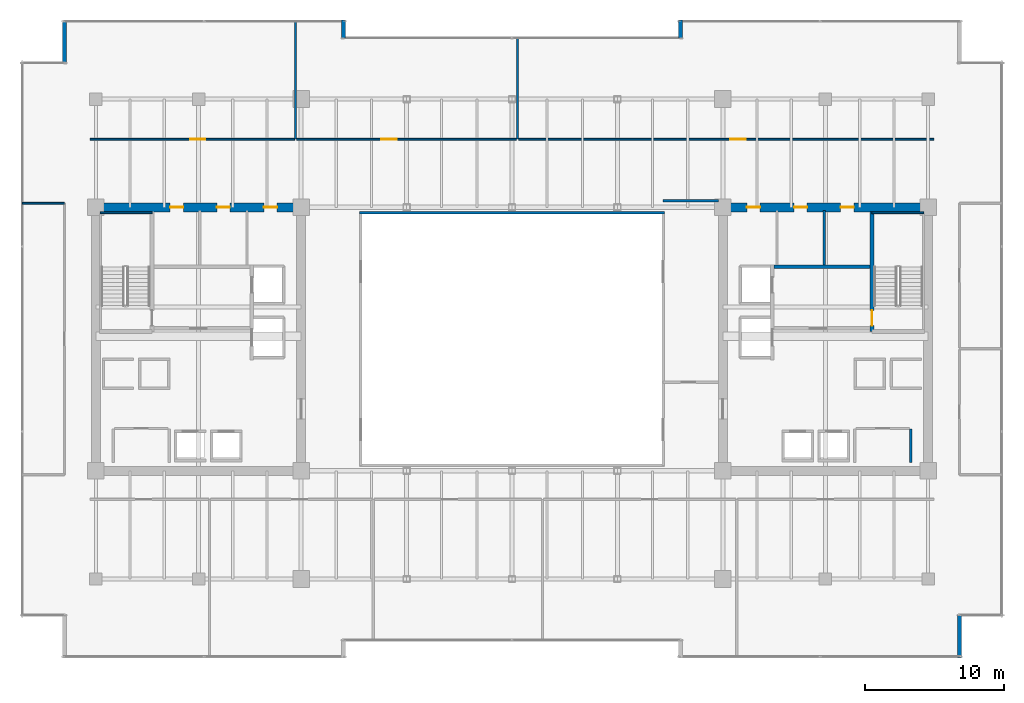
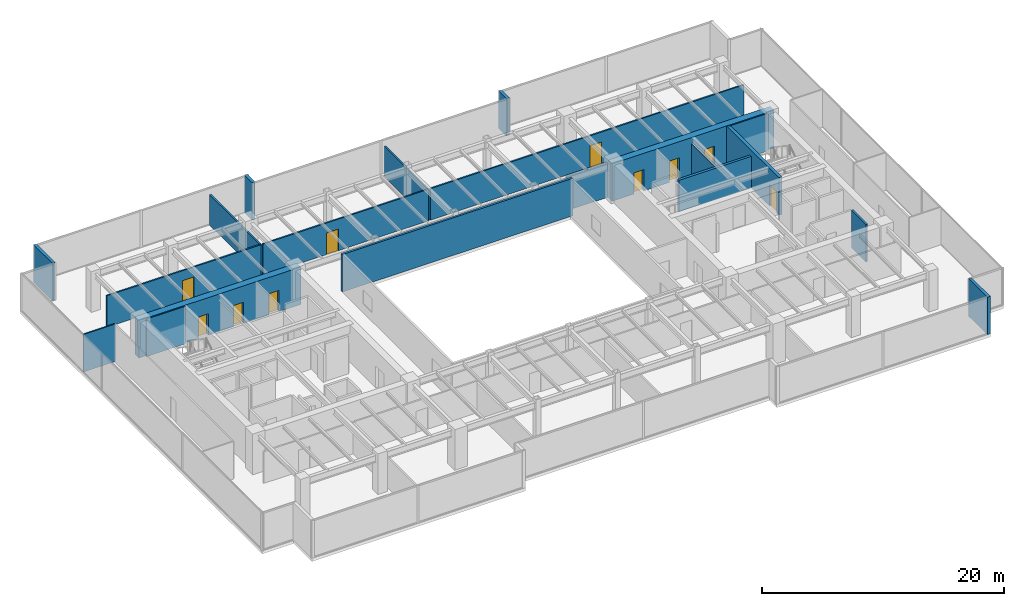
# One storey, part 27 of 30: 20 walls, 10 doors, 10 openings.
"""IFC4 building model written with IfcOpenShell, lengths in metres."""

import ifcopenshell
import ifcopenshell.guid

model = None  # the IFC model being written
_history = None  # IfcOwnerHistory: only IFC2X3 demands one
_inside = {}  # id of a spatial element -> (the spatial element, [elements in it])
_under = {}  # id of a project, library or spatial element -> (it, [spatial elements below it])
_declared = {}  # id of a project -> (the project, [libraries it declares])
_typed = {}  # id of a type object -> (the type object, [elements of that type])
_made_of = {}  # id of a material, layer set ... -> (it, [elements and type objects made of it])


def new_model(schema):
    """Start an empty IFC model of exactly this schema.

    Asked for "IFC4X3", IfcOpenShell would pick the latest addendum, in which some entities
    have other attributes; the version numbers below select the first issue.
    IFC2X3 requires an IfcOwnerHistory on every rooted entity: one is made here for all.
    """
    global model, _history
    if schema == "IFC4X3":
        model = ifcopenshell.file(schema_version=(4, 3, 0, 0))
    else:
        model = ifcopenshell.file(schema=schema)
    _inside.clear()
    _under.clear()
    _declared.clear()
    _typed.clear()
    _made_of.clear()
    _history = None
    if model.schema == "IFC2X3":
        org = make("IfcOrganization", Name="unknown")
        user = make(
            "IfcPersonAndOrganization",
            ThePerson=make("IfcPerson", FamilyName="unknown"),
            TheOrganization=org,
        )
        app = make(
            "IfcApplication",
            ApplicationDeveloper=org,
            Version="unknown",
            ApplicationFullName="unknown",
            ApplicationIdentifier="unknown",
        )
        _history = make(
            "IfcOwnerHistory",
            OwningUser=user,
            OwningApplication=app,
            ChangeAction="ADDED",
            CreationDate=0,
        )
    return model


def make(cls, **values):
    """One entity of the class cls with the attributes given. An attribute that is None is left unset."""
    return model.create_entity(
        cls, **{name: value for name, value in values.items() if value is not None}
    )


def rooted(cls, **values):
    """An entity with a GlobalId (a new one), such as an element, a storey or a relation."""
    return make(cls, GlobalId=ifcopenshell.guid.new(), OwnerHistory=_history, **values)


def si_unit(unit_type, name, prefix=None):
    """IfcSIUnit, for example si_unit("LENGTHUNIT", "METRE", prefix="MILLI")."""
    return make("IfcSIUnit", UnitType=unit_type, Prefix=prefix, Name=name)


def assignment(units):
    """IfcUnitAssignment: the units of a project."""
    return None if units is None else make("IfcUnitAssignment", Units=units)


def point(xyz):
    """IfcCartesianPoint."""
    return None if xyz is None else make("IfcCartesianPoint", Coordinates=xyz)


def direction(xyz):
    """IfcDirection."""
    return None if xyz is None else make("IfcDirection", DirectionRatios=xyz)


def frame(location, z_axis=None, x_axis=None):
    """IfcAxis2Placement3D, a coordinate frame: its origin and axes. An axis left out is left unset."""
    return make(
        "IfcAxis2Placement3D",
        Location=point(location),
        Axis=direction(z_axis),
        RefDirection=direction(x_axis),
    )


def frame_2d(location, x_axis=None):
    """IfcAxis2Placement2D, a coordinate frame in the plane: its origin and x axis."""
    return make(
        "IfcAxis2Placement2D", Location=point(location), RefDirection=direction(x_axis)
    )


def origin():
    """The frame at (0, 0, 0) with its axes left unset."""
    return frame((0.0, 0.0, 0.0))


def place(relative_to, where):
    """IfcLocalPlacement: puts the frame where relative to a parent placement (None: the world)."""
    return make(
        "IfcLocalPlacement", PlacementRelTo=relative_to, RelativePlacement=where
    )


def context(
    kind, dimensions, precision=None, world=None, true_north=None, identifier=None
):
    """IfcGeometricRepresentationContext, for example the 3D "Model" context."""
    return make(
        "IfcGeometricRepresentationContext",
        ContextIdentifier=identifier,
        ContextType=kind,
        CoordinateSpaceDimension=dimensions,
        Precision=precision,
        WorldCoordinateSystem=world,
        TrueNorth=true_north,
    )


def subcontext(parent, identifier, kind, view, scale=None):
    """IfcGeometricRepresentationSubContext, for example "Body" below "Model"."""
    return make(
        "IfcGeometricRepresentationSubContext",
        ContextIdentifier=identifier,
        ContextType=kind,
        ParentContext=parent,
        TargetScale=scale,
        TargetView=view,
    )


def project(units=None, contexts=None):
    """IfcProject with its units and contexts."""
    return rooted(
        "IfcProject",
        Name="project",
        RepresentationContexts=contexts,
        UnitsInContext=assignment(units),
    )


def spatial(cls, under=None, at=None, **own):
    """A site, building, storey or space (cls), placed at a placement, below another one or the project."""
    s = rooted(cls, ObjectPlacement=at, **own)
    if under is not None:
        _under.setdefault(under.id(), (under, []))[1].append(s)
    return s


def profile(cls, at=None, kind="AREA", **sizes):
    """A parametric profile (cls). Its sizes go by their IFC names, for example OverallWidth=200.0."""
    return make(cls, ProfileType=kind, Position=at, **sizes)


def rectangle(**sizes):
    """IfcRectangleProfileDef."""
    return profile("IfcRectangleProfileDef", **sizes)


def extrude(swept, where, along, depth):
    """IfcExtrudedAreaSolid: the profile swept, set in the frame where, extruded along a direction by depth."""
    return make(
        "IfcExtrudedAreaSolid",
        SweptArea=swept,
        Position=where,
        ExtrudedDirection=direction(along),
        Depth=depth,
    )


def shape(context_of_items, identifier, shape_type, items):
    """IfcShapeRepresentation: the items that make up one representation, for example the "Body"."""
    return make(
        "IfcShapeRepresentation",
        ContextOfItems=context_of_items,
        RepresentationIdentifier=identifier,
        RepresentationType=shape_type,
        Items=items,
    )


def source(mapping_origin, context_of_items, identifier, shape_type, items):
    """IfcRepresentationMap: a shape defined once, which mapped items show again and again."""
    return make(
        "IfcRepresentationMap",
        MappingOrigin=mapping_origin,
        MappedRepresentation=shape(context_of_items, identifier, shape_type, items),
    )


def transform(
    local_origin,
    x_axis=None,
    y_axis=None,
    z_axis=None,
    scale=None,
    scale2=None,
    scale3=None,
    uniform=True,
):
    """IfcCartesianTransformationOperator3D, or its non-uniform kind. x_axis, y_axis, z_axis: its Axis1, 2, 3."""
    if uniform:
        return make(
            "IfcCartesianTransformationOperator3D",
            Axis1=direction(x_axis),
            Axis2=direction(y_axis),
            LocalOrigin=point(local_origin),
            Scale=scale,
            Axis3=direction(z_axis),
        )
    return make(
        "IfcCartesianTransformationOperator3DnonUniform",
        Axis1=direction(x_axis),
        Axis2=direction(y_axis),
        LocalOrigin=point(local_origin),
        Scale=scale,
        Axis3=direction(z_axis),
        Scale2=scale2,
        Scale3=scale3,
    )


def mapped(mapping_source, mapping_target):
    """IfcMappedItem: shows the shape of a source again, moved by a transform."""
    return make(
        "IfcMappedItem", MappingSource=mapping_source, MappingTarget=mapping_target
    )


def material(Name=None, Category=None):
    """IfcMaterial."""
    return make("IfcMaterial", Name=Name, Category=Category)


def layer(
    of_material, thickness, ventilated=None, Name=None, Category=None, Priority=None
):
    """IfcMaterialLayer: one layer of a wall or slab, of a material (None: an air gap)."""
    return make(
        "IfcMaterialLayer",
        Material=of_material,
        LayerThickness=thickness,
        IsVentilated=ventilated,
        Name=Name,
        Category=Category,
        Priority=Priority,
    )


def layer_set(layers, Name=None):
    """IfcMaterialLayerSet."""
    return make("IfcMaterialLayerSet", MaterialLayers=layers, LayerSetName=Name)


def made_of(thing, what):
    """Note that an element or type object is made of a material, layer set ...; save() writes the relation."""
    if what is not None:
        _made_of.setdefault(what.id(), (what, []))[1].append(thing)
    return thing


def type_object(cls, material=None, **own):
    """A type object (cls), such as IfcWallType, which elements share."""
    return made_of(rooted(cls, **own), material)


def type_shapes(of_type, sources):
    """Give a type object the sources (RepresentationMaps) that its elements show as mapped items."""
    of_type.RepresentationMaps = sources


def element(
    cls,
    number,
    at=None,
    inside=None,
    cuts=None,
    type_object=None,
    material=None,
    context=None,
    identifier="Body",
    shape_type=None,
    held_by="IfcProductDefinitionShape",
    body=None,
    shapes=None,
    **own,
):
    """One element of the class cls, such as IfcWall. Its Tag is "e" and its number.

    at: its placement. inside: the storey or other place that contains it. cuts: it is an
    opening in that element (IfcRelVoidsElement). A single representation is given by context,
    identifier, shape_type and body (its items); several are given by shapes. held_by: the class
    of the entity that holds the representations. save() writes the other relations.
    """
    e = rooted(cls, Tag="e%d" % number, ObjectPlacement=at, **own)
    if body is not None:
        shapes = [shape(context, identifier, shape_type, body)]
    if shapes is not None:
        e.Representation = make(held_by, Representations=shapes)
    if inside is not None:
        _inside.setdefault(inside.id(), (inside, []))[1].append(e)
    if cuts is not None:
        rooted(
            "IfcRelVoidsElement", RelatingBuildingElement=cuts, RelatedOpeningElement=e
        )
    if type_object is not None:
        _typed.setdefault(type_object.id(), (type_object, []))[1].append(e)
    return made_of(e, material)


def fill(opening, filler):
    """IfcRelFillsElement: the door or window that sits in an opening."""
    return rooted(
        "IfcRelFillsElement",
        RelatingOpeningElement=opening,
        RelatedBuildingElement=filler,
    )


def aggregate(whole, parts):
    """IfcRelAggregates: a whole, such as a stair, and the parts it consists of."""
    return rooted("IfcRelAggregates", RelatingObject=whole, RelatedObjects=parts)


def save(model, path):
    """Write the relations noted so far, then the file.

    IfcRelAggregates (storeys below a building ...), IfcRelContainedInSpatialStructure (elements
    in a storey), IfcRelDefinesByType, IfcRelAssociatesMaterial and IfcRelDeclares: one each for
    every whole, place, type object, material and project.
    """
    for whole, parts in _under.values():
        aggregate(whole, parts)
    for where, things in _inside.values():
        rooted(
            "IfcRelContainedInSpatialStructure",
            RelatedElements=things,
            RelatingStructure=where,
        )
    for kind, things in _typed.values():
        rooted("IfcRelDefinesByType", RelatedObjects=things, RelatingType=kind)
    for what, things in _made_of.values():
        rooted("IfcRelAssociatesMaterial", RelatedObjects=things, RelatingMaterial=what)
    for by, libraries in _declared.values():
        rooted("IfcRelDeclares", RelatingContext=by, RelatedDefinitions=libraries)
    model.write(path)


model = new_model("IFC4")

# Units and contexts
model_context = context("Model", 3, precision=1e-05, world=origin(), true_north=direction((0.0, 1.0)))
body_context = subcontext(model_context, "Body", "Model", "MODEL_VIEW")
ifc_project = project(units=[si_unit("LENGTHUNIT", "METRE"), si_unit("AREAUNIT", "SQUARE_METRE"), si_unit("VOLUMEUNIT", "CUBIC_METRE"), si_unit("PLANEANGLEUNIT", "RADIAN"), si_unit("MASSUNIT", "GRAM", prefix="KILO")], contexts=[model_context])

# Site, building, storey
site_placement = place(None, origin())
site = spatial("IfcSite", under=ifc_project, at=site_placement, CompositionType="ELEMENT")
building_placement = place(site_placement, origin())
building = spatial("IfcBuilding", under=site, at=building_placement, Name="Haelvirn Gate Laboratories", CompositionType="ELEMENT")
storey_placement = place(building_placement, frame((0.0, 0.0, 183.0)))
storey = spatial("IfcBuildingStorey", under=building, at=storey_placement, Name="L44", CompositionType="ELEMENT", Elevation=183.0)

# Walls
ifc_material_1 = material(Name="Thermally-broken bronze aluminium rainscreen & mineral wool", Category="aluminium")
ifc_layer_1 = layer(ifc_material_1, 0.280029296875, Name="EW-TERR-280")
ifc_layer_set_1 = layer_set([ifc_layer_1], Name="Thermally-broken bronze aluminium rainscreen & mineral wool")
wall_type_1 = type_object("IfcWallType", Name="EW-TERR-280", PredefinedType="STANDARD", material=ifc_layer_set_1)
wall_1_placement = place(storey_placement, frame((69.659912109375, 1.300048828125, 0.0), z_axis=(0.0, 0.0, 1.0), x_axis=(0.0, 1.0, 0.0)))
element("IfcWall", 1, at=wall_1_placement, inside=storey, type_object=wall_type_1, Name="L44 Atrium Recess Bronze Return Wall 05", PredefinedType="STANDARD", context=body_context, shape_type="SweptSolid", body=[
    extrude(rectangle(XDim=3.087890625, YDim=0.280029296875, at=frame_2d((1.5439453125, 0.0))), origin(), (0.0, 0.0, 1.0), 3.7900390625),
])
for number, where, z_axis, x_axis, name in (
    (2, (49.5400390625, 47.300048828125, 0.0), (0.0, 0.0, 1.0), (0.0, -1.0, 0.0), "L44 Atrium Recess Bronze Return Wall 11"),
    (3, (25.260009765625, 46.011962890625, 0.0), (0.0, 0.0, 1.0), (0.0, 1.0, 0.0), "L44 Atrium Recess Bronze Return Wall 13"),
):
    element("IfcWall", number, at=place(storey_placement, frame(where, z_axis=z_axis, x_axis=x_axis)), inside=storey, type_object=wall_type_1, Name=name, PredefinedType="STANDARD", context=body_context, shape_type="SweptSolid", body=[
        extrude(rectangle(XDim=1.2880859375, YDim=0.280029296875, at=frame_2d((0.64404296875, 0.0))), origin(), (0.0, 0.0, 1.0), 3.7900390625),
    ])
wall_2_placement = place(storey_placement, frame((5.139892578125, 47.300048828125, 0.0), z_axis=(0.0, 0.0, 1.0), x_axis=(0.0, -1.0, 0.0)))
element("IfcWall", 4, at=wall_2_placement, inside=storey, type_object=wall_type_1, Name="L44 Atrium Recess Bronze Return Wall 15", PredefinedType="STANDARD", context=body_context, shape_type="SweptSolid", body=[
    extrude(rectangle(XDim=3.088134765625, YDim=0.280029296875, at=frame_2d((1.5439453125, 0.0))), origin(), (0.0, 0.0, 1.0), 3.7900390625),
])
ifc_material_2 = material(Name="Double-layer acoustic gypsum laboratory partition", Category="gypsum")
ifc_layer_2 = layer(ifc_material_2, 0.159912109375, Name="IW-ACOUST-160")
ifc_layer_set_2 = layer_set([ifc_layer_2], Name="Double-layer acoustic gypsum laboratory partition")
wall_type_2 = type_object("IfcWallType", Name="IW-ACOUST-160", PredefinedType="PARTITIONING", material=ifc_layer_set_2)
wall_3_placement = place(storey_placement, frame((21.800048828125, 38.705078125, 0.0), z_axis=(0.0, 0.0, 1.0), x_axis=(0.0, 1.0, 0.0)))
element("IfcWall", 5, at=wall_3_placement, inside=storey, type_object=wall_type_2, Name="L44 Interior Wall IW-L44-NDIV-01", PredefinedType="PARTITIONING", context=body_context, shape_type="SweptSolid", body=[
    extrude(rectangle(XDim=8.48486328125, YDim=0.159912109375, at=frame_2d((4.242431640625, 0.0))), origin(), (0.0, 0.0, 1.0), 3.074951171875),
])
wall_4_placement = place(storey_placement, frame((37.800048828125, 38.705078125, 0.0), z_axis=(0.0, 0.0, 1.0), x_axis=(0.0, 1.0, 0.0)))
element("IfcWall", 6, at=wall_4_placement, inside=storey, type_object=wall_type_2, Name="L44 Interior Wall IW-L44-NDIV-02", PredefinedType="PARTITIONING", context=body_context, shape_type="SweptSolid", body=[
    extrude(rectangle(XDim=7.284912109375, YDim=0.159912109375, at=frame_2d((3.642578125, 0.0))), origin(), (0.0, 0.0, 1.0), 3.074951171875),
])
ifc_material_3 = material(Name="Fire-rated acoustic gypsum board partition", Category="gypsum")
ifc_layer_3 = layer(ifc_material_3, 0.175048828125, Name="IW-ACOUST-180")
ifc_layer_set_3 = layer_set([ifc_layer_3], Name="Fire-rated acoustic gypsum board partition")
wall_type_3 = type_object("IfcWallType", Name="IW-ACOUST-180", PredefinedType="PARTITIONING", material=ifc_layer_set_3)
wall_5_placement = place(storey_placement, frame((48.300048828125, 34.260009765625, 0.0), z_axis=(0.0, 0.0, 1.0), x_axis=(1.0, 0.0, 0.0)))
element("IfcWall", 7, at=wall_5_placement, inside=storey, type_object=wall_type_3, Name="L44 Interior Wall IW-L44-ASEM-N", PredefinedType="PARTITIONING", context=body_context, shape_type="SweptSolid", body=[
    extrude(rectangle(XDim=3.974853515625, YDim=0.175048828125, at=frame_2d((1.9873046875, 0.0))), origin(), (0.0, 0.0, 1.0), 3.47509765625),
])
ifc_material_4 = material(Name="Tempered fire-rated borosilicate glass & anodised aluminium", Category="aluminium")
ifc_layer_4 = layer(ifc_material_4, 0.195068359375, Name="IW-GLAZ-200")
ifc_layer_set_4 = layer_set([ifc_layer_4], Name="Tempered fire-rated borosilicate glass & anodised aluminium")
wall_type_4 = type_object("IfcWallType", Name="IW-GLAZ-200", PredefinedType="SOLIDWALL", material=ifc_layer_set_4)
wall_6_placement = place(storey_placement, frame((26.39990234375, 33.39990234375, 0.0), z_axis=(0.0, 0.0, 1.0), x_axis=(1.0, 0.0, 0.0)))
element("IfcWall", 8, at=wall_6_placement, inside=storey, type_object=wall_type_4, Name="L44 Interior Wall IW-L44-ATRIUM-N", PredefinedType="SOLIDWALL", context=body_context, shape_type="SweptSolid", body=[
    extrude(rectangle(XDim=22.0, YDim=0.195068359375, at=frame_2d((11.0, 0.0))), origin(), (0.0, 0.0, 1.0), 3.7900390625),
])
ifc_material_5 = material(Name="Lightweight acoustic gypsum board partition", Category="gypsum")
ifc_layer_5 = layer(ifc_material_5, 0.1201171875, Name="IW-PART-120")
ifc_layer_set_5 = layer_set([ifc_layer_5], Name="Lightweight acoustic gypsum board partition")
wall_type_5 = type_object("IfcWallType", Name="IW-PART-120", PredefinedType="PARTITIONING", material=ifc_layer_set_5)
wall_7_placement = place(storey_placement, frame((2.110107421875, 34.0849609375, 0.0), z_axis=(0.0, 0.0, 1.0), x_axis=(1.0, 0.0, 0.0)))
element("IfcWall", 9, at=wall_7_placement, inside=storey, type_object=wall_type_5, Name="L44 Interior Wall IW-L44-WCAP-N", PredefinedType="PARTITIONING", context=body_context, shape_type="SweptSolid", body=[
    extrude(rectangle(XDim=3.019775390625, YDim=0.1201171875, at=frame_2d((1.509765625, 0.0))), origin(), (0.0, 0.0, 1.0), 3.7900390625),
])

# Wall, opening, door
ifc_material_6 = material(Name="Acoustic mineral-wool gypsum board partition", Category="gypsum")
ifc_layer_6 = layer(ifc_material_6, 0.139892578125, Name="IW-PART-140")
ifc_layer_set_6 = layer_set([ifc_layer_6], Name="Acoustic mineral-wool gypsum board partition")
wall_type_6 = type_object("IfcWallType", Name="IW-PART-140", PredefinedType="PARTITIONING", material=ifc_layer_set_6)
wall_8_placement = place(storey_placement, frame((6.97998046875, 38.705078125, 0.0), z_axis=(0.0, 0.0, 1.0), x_axis=(1.0, 0.0, 0.0)))
wall_8 = element("IfcWall", 10, at=wall_8_placement, inside=storey, type_object=wall_type_6, Name="L44 Interior Wall IW-L44-NCORR-01", PredefinedType="PARTITIONING", context=body_context, shape_type="SweptSolid", body=[
    extrude(rectangle(XDim=14.739990234375, YDim=0.139892578125, at=frame_2d((7.3701171875, 0.0))), origin(), (0.0, 0.0, 1.0), 3.18701171875),
])
opening_1_placement = place(wall_8_placement, frame((7.208251953125, 0.0, 0.0)))
opening_1 = element("IfcOpeningElement", 11, at=opening_1_placement, cuts=wall_8, Name="Opening D1", PredefinedType="OPENING", context=body_context, shape_type="SweptSolid", body=[
    extrude(rectangle(XDim=1.10009765625, YDim=2.179931640625, at=frame_2d((0.550048828125, 1.08984375))), frame((0.0, 0.080078125, 0.0), z_axis=(0.0, -1.0, 0.0), x_axis=(1.0, 0.0, 0.0)), (0.0, 0.0, 1.0), 0.159912109375),
])
ifc_material_7 = material(Name="Vision-panel acoustic solid-core timber lab door", Category="wood")
door_type_1 = type_object("IfcDoorType", Name="DR-LAB-1100", OperationType="NOTDEFINED", PredefinedType="DOOR", material=ifc_material_7)
shared_shape_1 = source(origin(), body_context, "Body", "SweptSolid", [
    extrude(rectangle(XDim=1.10009765625, YDim=2.179931640625, at=frame_2d((0.550048828125, 1.08984375))), frame((0.0, 0.02490234375, 0.0), z_axis=(0.0, -1.0, 0.0), x_axis=(1.0, 0.0, 0.0)), (0.0, 0.0, 1.0), 0.050048828125),
])
type_shapes(door_type_1, [shared_shape_1])
door_1_placement = place(opening_1_placement, origin())
door_1 = element("IfcDoor", 12, at=door_1_placement, inside=storey, type_object=door_type_1, Name="L44 Analytical Instrument Suite Door N1", OperationType="SINGLE_SWING_RIGHT", OverallHeight=2.179931640625, OverallWidth=1.10009765625, PredefinedType="DOOR", context=body_context, shape_type="MappedRepresentation", body=[
    mapped(shared_shape_1, transform((0.0, 0.0, 0.0), scale=1.0)),
])
fill(opening_1, door_1)

wall_9_placement = place(storey_placement, frame((21.8798828125, 38.705078125, 0.0), z_axis=(0.0, 0.0, 1.0), x_axis=(1.0, 0.0, 0.0)))
wall_9 = element("IfcWall", 13, at=wall_9_placement, inside=storey, type_object=wall_type_6, Name="L44 Interior Wall IW-L44-NCORR-02", PredefinedType="PARTITIONING", context=body_context, shape_type="SweptSolid", body=[
    extrude(rectangle(XDim=15.840087890625, YDim=0.139892578125, at=frame_2d((7.919921875, 0.0))), origin(), (0.0, 0.0, 1.0), 3.18701171875),
])
opening_2_placement = place(wall_9_placement, frame((6.1064453125, 0.0, 0.0)))
opening_2 = element("IfcOpeningElement", 14, at=opening_2_placement, cuts=wall_9, Name="Opening D1", PredefinedType="OPENING", context=body_context, shape_type="SweptSolid", body=[
    extrude(rectangle(XDim=1.10009765625, YDim=2.179931640625, at=frame_2d((0.550048828125, 1.08984375))), frame((0.0, 0.080078125, 0.0), z_axis=(0.0, -1.0, 0.0), x_axis=(1.0, 0.0, 0.0)), (0.0, 0.0, 1.0), 0.159912109375),
])
door_2_placement = place(opening_2_placement, origin())
door_2 = element("IfcDoor", 15, at=door_2_placement, inside=storey, type_object=door_type_1, Name="L44 Researcher Quiet Study Door N2", OperationType="SINGLE_SWING_LEFT", OverallHeight=2.179931640625, OverallWidth=1.10009765625, PredefinedType="DOOR", context=body_context, shape_type="MappedRepresentation", body=[
    mapped(shared_shape_1, transform((0.0, 0.0, 0.0), scale=1.0)),
])
fill(opening_2, door_2)

wall_10_placement = place(storey_placement, frame((37.8798828125, 38.705078125, 0.0), z_axis=(0.0, 0.0, 1.0), x_axis=(1.0, 0.0, 0.0)))
wall_10 = element("IfcWall", 16, at=wall_10_placement, inside=storey, type_object=wall_type_6, Name="L44 Interior Wall IW-L44-NCORR-03", PredefinedType="PARTITIONING", context=body_context, shape_type="SweptSolid", body=[
    extrude(rectangle(XDim=29.940185546875, YDim=0.139892578125, at=frame_2d((14.97021484375, 0.0))), origin(), (0.0, 0.0, 1.0), 3.18701171875),
])
opening_3_placement = place(wall_10_placement, frame((15.26416015625, 0.0, 0.0)))
opening_3 = element("IfcOpeningElement", 17, at=opening_3_placement, cuts=wall_10, Name="Opening D1", PredefinedType="OPENING", context=body_context, shape_type="SweptSolid", body=[
    extrude(rectangle(XDim=1.10009765625, YDim=2.179931640625, at=frame_2d((0.550048828125, 1.08984375))), frame((0.0, 0.080078125, 0.0), z_axis=(0.0, -1.0, 0.0), x_axis=(1.0, 0.0, 0.0)), (0.0, 0.0, 1.0), 0.159912109375),
])
door_3_placement = place(opening_3_placement, origin())
door_3 = element("IfcDoor", 18, at=door_3_placement, inside=storey, type_object=door_type_1, Name="L44 Postdoctoral Reading Lounge Door N3", OperationType="SINGLE_SWING_RIGHT", OverallHeight=2.179931640625, OverallWidth=1.10009765625, PredefinedType="DOOR", context=body_context, shape_type="MappedRepresentation", body=[
    mapped(shared_shape_1, transform((0.0, 0.0, 0.0), scale=1.0)),
])
fill(opening_3, door_3)

# Walls
ifc_material_8 = material(Name="Cement-board restroom plumbing chase wall", Category="gypsum")
ifc_layer_7 = layer(ifc_material_8, 0.155029296875, Name="IW-PLUMB-160")
ifc_layer_set_7 = layer_set([ifc_layer_7], Name="Cement-board restroom plumbing chase wall")
wall_type_7 = type_object("IfcWallType", Name="IW-PLUMB-160", PredefinedType="PLUMBINGWALL", material=ifc_layer_set_7)
wall_11_placement = place(storey_placement, frame((59.909912109375, 29.64990234375, 0.0), z_axis=(0.0, 0.0, 1.0), x_axis=(0.0, 1.0, 0.0)))
element("IfcWall", 19, at=wall_11_placement, inside=storey, type_object=wall_type_7, Name="L44 Interior Wall IW-L44-E-CDIV-1", PredefinedType="PLUMBINGWALL", context=body_context, shape_type="SweptSolid", body=[
    extrude(rectangle(XDim=3.93017578125, YDim=0.155029296875, at=frame_2d((1.965087890625, 0.0))), origin(), (0.0, 0.0, 1.0), 3.18701171875),
])
ifc_material_9 = material(Name="Concrete C40/50", Category="concrete")
ifc_layer_8 = layer(ifc_material_9, 0.179931640625, Name="IW-SHAFT-180")
ifc_layer_set_8 = layer_set([ifc_layer_8], Name="Concrete C40/50")
wall_type_8 = type_object("IfcWallType", Name="IW-SHAFT-180", PredefinedType="SOLIDWALL", material=ifc_layer_set_8)
wall_12_placement = place(storey_placement, frame((66.139892578125, 15.39990234375, 0.0), z_axis=(0.0, 0.0, 1.0), x_axis=(0.0, 1.0, 0.0)))
element("IfcWall", 20, at=wall_12_placement, inside=storey, type_object=wall_type_8, Name="L44 Interior Wall IW-L44-E-FREED-LW-1", PredefinedType="SOLIDWALL", context=body_context, shape_type="SweptSolid", body=[
    extrude(rectangle(XDim=2.400146484375, YDim=0.179931640625, at=frame_2d((1.2001953125, 0.0))), origin(), (0.0, 0.0, 1.0), 3.7900390625),
])
ifc_layer_9 = layer(ifc_material_9, 0.239990234375, Name="IW-SHAFT-240")
ifc_layer_set_9 = layer_set([ifc_layer_9], Name="Concrete C40/50")
wall_type_9 = type_object("IfcWallType", Name="IW-SHAFT-240", PredefinedType="SOLIDWALL", material=ifc_layer_set_9)
wall_13_placement = place(storey_placement, frame((56.280029296875, 29.52001953125, 0.0), z_axis=(0.0, 0.0, 1.0), x_axis=(1.0, 0.0, 0.0)))
element("IfcWall", 21, at=wall_13_placement, inside=storey, type_object=wall_type_9, Name="L44 Interior Wall IW-L44-E-FF-N", PredefinedType="SOLIDWALL", context=body_context, shape_type="SweptSolid", body=[
    extrude(rectangle(XDim=6.919921875, YDim=0.239990234375, at=frame_2d((3.4599609375, 0.0))), origin(), (0.0, 0.0, 1.0), 3.18701171875),
])

# Wall, openings, doors
ifc_material_10 = material(Name="Concrete C60/75", Category="concrete")
ifc_layer_10 = layer(ifc_material_10, 0.64990234375, Name="SW-CORE-650")
ifc_layer_set_10 = layer_set([ifc_layer_10], Name="Concrete C60/75")
wall_type_10 = type_object("IfcWallType", Name="SW-CORE-650", PredefinedType="SHEAR", material=ifc_layer_set_10)
wall_14_placement = place(storey_placement, frame((7.074951171875, 33.800048828125, 0.0), z_axis=(0.0, 0.0, 1.0), x_axis=(1.0, 0.0, 0.0)))
wall_14 = element("IfcWall", 22, at=wall_14_placement, inside=storey, type_object=wall_type_10, Name="L44 W Core Shear Wall N", PredefinedType="SHEAR", context=body_context, shape_type="SweptSolid", body=[
    extrude(rectangle(XDim=15.449951171875, YDim=0.64990234375, at=frame_2d((7.72509765625, 0.0))), origin(), (0.0, 0.0, 1.0), 3.7900390625),
])
opening_4_placement = place(wall_14_placement, frame((5.675048828125, 0.0, 0.0)))
opening_4 = element("IfcOpeningElement", 23, at=opening_4_placement, cuts=wall_14, Name="Opening FD4", PredefinedType="OPENING", context=body_context, shape_type="SweptSolid", body=[
    extrude(rectangle(XDim=0.949951171875, YDim=2.14990234375, at=frame_2d((0.47509765625, 1.074951171875))), frame((0.0, 0.3349609375, 0.0), z_axis=(0.0, -1.0, 0.0), x_axis=(1.0, 0.0, 0.0)), (0.0, 0.0, 1.0), 0.669921875),
])
opening_5_placement = place(wall_14_placement, frame((9.0400390625, 0.0, 0.0)))
opening_5 = element("IfcOpeningElement", 24, at=opening_5_placement, cuts=wall_14, Name="Opening FD4", PredefinedType="OPENING", context=body_context, shape_type="SweptSolid", body=[
    extrude(rectangle(XDim=0.949951171875, YDim=2.14990234375, at=frame_2d((0.47509765625, 1.074951171875))), frame((0.0, 0.3349609375, 0.0), z_axis=(0.0, -1.0, 0.0), x_axis=(1.0, 0.0, 0.0)), (0.0, 0.0, 1.0), 0.669921875),
])
opening_6_placement = place(wall_14_placement, frame((12.43994140625, 0.0, 0.0)))
opening_6 = element("IfcOpeningElement", 25, at=opening_6_placement, cuts=wall_14, Name="Opening FD4", PredefinedType="OPENING", context=body_context, shape_type="SweptSolid", body=[
    extrude(rectangle(XDim=0.949951171875, YDim=2.14990234375, at=frame_2d((0.47509765625, 1.074951171875))), frame((0.0, 0.3349609375, 0.0), z_axis=(0.0, -1.0, 0.0), x_axis=(1.0, 0.0, 0.0)), (0.0, 0.0, 1.0), 0.669921875),
])
ifc_material_11 = material(Name="Fire-rated steel SM355 core service door", Category="steel")
door_type_2 = type_object("IfcDoorType", Name="DR-FD-950", OperationType="NOTDEFINED", PredefinedType="DOOR", material=ifc_material_11)
shared_shape_2 = source(origin(), body_context, "Body", "SweptSolid", [
    extrude(rectangle(XDim=0.949951171875, YDim=2.14990234375, at=frame_2d((0.47509765625, 1.074951171875))), frame((0.0, 0.02490234375, 0.0), z_axis=(0.0, -1.0, 0.0), x_axis=(1.0, 0.0, 0.0)), (0.0, 0.0, 1.0), 0.050048828125),
])
type_shapes(door_type_2, [shared_shape_2])
door_4_placement = place(opening_4_placement, origin())
door_4 = element("IfcDoor", 26, at=door_4_placement, inside=storey, type_object=door_type_2, Name="L44 Male Restroom Fire Door", OperationType="SINGLE_SWING_LEFT", OverallHeight=2.14990234375, OverallWidth=0.949951171875, PredefinedType="DOOR", context=body_context, shape_type="MappedRepresentation", body=[
    mapped(shared_shape_2, transform((0.0, 0.0, 0.0), scale=1.0)),
])
fill(opening_4, door_4)
door_5_placement = place(opening_5_placement, origin())
door_5 = element("IfcDoor", 27, at=door_5_placement, inside=storey, type_object=door_type_2, Name="L44 Female Restroom Fire Door", OperationType="SINGLE_SWING_RIGHT", OverallHeight=2.14990234375, OverallWidth=0.949951171875, PredefinedType="DOOR", context=body_context, shape_type="MappedRepresentation", body=[
    mapped(shared_shape_2, transform((0.0, 0.0, 0.0), scale=1.0)),
])
fill(opening_5, door_5)
door_6_placement = place(opening_6_placement, origin())
door_6 = element("IfcDoor", 28, at=door_6_placement, inside=storey, type_object=door_type_2, Name="L44 Accessible Restroom Fire Door", OperationType="SINGLE_SWING_LEFT", OverallHeight=2.14990234375, OverallWidth=0.949951171875, PredefinedType="DOOR", context=body_context, shape_type="MappedRepresentation", body=[
    mapped(shared_shape_2, transform((0.0, 0.0, 0.0), scale=1.0)),
])
fill(opening_6, door_6)

wall_15_placement = place(storey_placement, frame((52.27490234375, 33.800048828125, 0.0), z_axis=(0.0, 0.0, 1.0), x_axis=(1.0, 0.0, 0.0)))
wall_15 = element("IfcWall", 29, at=wall_15_placement, inside=storey, type_object=wall_type_10, Name="L44 E Core Shear Wall N", PredefinedType="SHEAR", context=body_context, shape_type="SweptSolid", body=[
    extrude(rectangle(XDim=15.4501953125, YDim=0.64990234375, at=frame_2d((7.72509765625, 0.0))), origin(), (0.0, 0.0, 1.0), 3.7900390625),
])
opening_7_placement = place(wall_15_placement, frame((8.824951171875, 0.0, 0.0)))
opening_7 = element("IfcOpeningElement", 30, at=opening_7_placement, cuts=wall_15, Name="Opening FD4", PredefinedType="OPENING", context=body_context, shape_type="SweptSolid", body=[
    extrude(rectangle(XDim=0.949951171875, YDim=2.14990234375, at=frame_2d((0.47509765625, 1.074951171875))), frame((0.0, 0.3349609375, 0.0), z_axis=(0.0, -1.0, 0.0), x_axis=(1.0, 0.0, 0.0)), (0.0, 0.0, 1.0), 0.669921875),
])
opening_8_placement = place(wall_15_placement, frame((5.4599609375, 0.0, 0.0)))
opening_8 = element("IfcOpeningElement", 31, at=opening_8_placement, cuts=wall_15, Name="Opening FD4", PredefinedType="OPENING", context=body_context, shape_type="SweptSolid", body=[
    extrude(rectangle(XDim=0.949951171875, YDim=2.14990234375, at=frame_2d((0.47509765625, 1.074951171875))), frame((0.0, 0.3349609375, 0.0), z_axis=(0.0, -1.0, 0.0), x_axis=(1.0, 0.0, 0.0)), (0.0, 0.0, 1.0), 0.669921875),
])
opening_9_placement = place(wall_15_placement, frame((2.06005859375, 0.0, 0.0)))
opening_9 = element("IfcOpeningElement", 32, at=opening_9_placement, cuts=wall_15, Name="Opening FD4", PredefinedType="OPENING", context=body_context, shape_type="SweptSolid", body=[
    extrude(rectangle(XDim=0.949951171875, YDim=2.14990234375, at=frame_2d((0.47509765625, 1.074951171875))), frame((0.0, 0.3349609375, 0.0), z_axis=(0.0, -1.0, 0.0), x_axis=(1.0, 0.0, 0.0)), (0.0, 0.0, 1.0), 0.669921875),
])
door_7_placement = place(opening_7_placement, origin())
door_7 = element("IfcDoor", 33, at=door_7_placement, inside=storey, type_object=door_type_2, Name="L44 Male Restroom Fire Door", OperationType="SINGLE_SWING_LEFT", OverallHeight=2.14990234375, OverallWidth=0.949951171875, PredefinedType="DOOR", context=body_context, shape_type="MappedRepresentation", body=[
    mapped(shared_shape_2, transform((0.0, 0.0, 0.0), scale=1.0)),
])
fill(opening_7, door_7)
door_8_placement = place(opening_8_placement, origin())
door_8 = element("IfcDoor", 34, at=door_8_placement, inside=storey, type_object=door_type_2, Name="L44 Female Restroom Fire Door", OperationType="SINGLE_SWING_RIGHT", OverallHeight=2.14990234375, OverallWidth=0.949951171875, PredefinedType="DOOR", context=body_context, shape_type="MappedRepresentation", body=[
    mapped(shared_shape_2, transform((0.0, 0.0, 0.0), scale=1.0)),
])
fill(opening_8, door_8)
door_9_placement = place(opening_9_placement, origin())
door_9 = element("IfcDoor", 35, at=door_9_placement, inside=storey, type_object=door_type_2, Name="L44 Accessible Restroom Fire Door", OperationType="SINGLE_SWING_LEFT", OverallHeight=2.14990234375, OverallWidth=0.949951171875, PredefinedType="DOOR", context=body_context, shape_type="MappedRepresentation", body=[
    mapped(shared_shape_2, transform((0.0, 0.0, 0.0), scale=1.0)),
])
fill(opening_9, door_9)

# Walls
ifc_material_12 = material(Name="Concrete C50/60", Category="concrete")
ifc_layer_11 = layer(ifc_material_12, 0.1201171875, Name="SW-LINER-120")
ifc_layer_set_11 = layer_set([ifc_layer_11], Name="Concrete C50/60")
wall_type_11 = type_object("IfcWallType", Name="SW-LINER-120", PredefinedType="SOLIDWALL", material=ifc_layer_set_11)
for number, where, z_axis, x_axis, name in (
    (36, (7.72998046875, 33.39990234375, 0.0), (0.0, 0.0, 1.0), (1.0, 0.0, 0.0), "L44 W Core Stair Shaft Liner Wall N"),
    (37, (63.35009765625, 33.39990234375, 0.0), (0.0, 0.0, 1.0), (1.0, 0.0, 0.0), "L44 E Core Stair Shaft Liner Wall N"),
):
    element("IfcWall", number, at=place(storey_placement, frame(where, z_axis=z_axis, x_axis=x_axis)), inside=storey, type_object=wall_type_11, Name=name, PredefinedType="SOLIDWALL", context=body_context, shape_type="SweptSolid", body=[
        extrude(rectangle(XDim=3.719970703125, YDim=0.1201171875, at=frame_2d((1.85986328125, 0.0))), origin(), (0.0, 0.0, 1.0), 3.7900390625),
    ])

# Wall, opening, door
ifc_layer_12 = layer(ifc_material_12, 0.300048828125, Name="SW-STAIR-300")
ifc_layer_set_12 = layer_set([ifc_layer_12], Name="Concrete C50/60")
wall_type_12 = type_object("IfcWallType", Name="SW-STAIR-300", PredefinedType="SHEAR", material=ifc_layer_set_12)
wall_16_placement = place(storey_placement, frame((63.35009765625, 24.85009765625, 0.0), z_axis=(0.0, 0.0, 1.0), x_axis=(0.0, 1.0, 0.0)))
wall_16 = element("IfcWall", 38, at=wall_16_placement, inside=storey, type_object=wall_type_12, Name="L44 E Core Stair Shaft Structural Wall IN", PredefinedType="SHEAR", context=body_context, shape_type="SweptSolid", body=[
    extrude(rectangle(XDim=8.6298828125, YDim=0.300048828125, at=frame_2d((4.31494140625, 0.0))), origin(), (0.0, 0.0, 1.0), 3.7900390625),
])
opening_10_placement = place(wall_16_placement, frame((0.419921875, 0.0, 0.0)))
opening_10 = element("IfcOpeningElement", 39, at=opening_10_placement, cuts=wall_16, Name="Opening FD3", PredefinedType="OPENING", context=body_context, shape_type="SweptSolid", body=[
    extrude(rectangle(XDim=1.10009765625, YDim=2.14990234375, at=frame_2d((0.550048828125, 1.074951171875))), frame((0.0, 0.16015625, 0.0), z_axis=(0.0, -1.0, 0.0), x_axis=(1.0, 0.0, 0.0)), (0.0, 0.0, 1.0), 0.320068359375),
])
ifc_material_13 = material(Name="Fire-rated steel SM355 escape stair door", Category="steel")
door_type_3 = type_object("IfcDoorType", Name="DR-FD-1100", OperationType="NOTDEFINED", PredefinedType="DOOR", material=ifc_material_13)
shared_shape_3 = source(origin(), body_context, "Body", "SweptSolid", [
    extrude(rectangle(XDim=1.10009765625, YDim=2.14990234375, at=frame_2d((0.550048828125, 1.074951171875))), frame((0.0, 0.02490234375, 0.0), z_axis=(0.0, -1.0, 0.0), x_axis=(1.0, 0.0, 0.0)), (0.0, 0.0, 1.0), 0.050048828125),
])
type_shapes(door_type_3, [shared_shape_3])
door_10_placement = place(opening_10_placement, origin())
door_10 = element("IfcDoor", 40, at=door_10_placement, inside=storey, type_object=door_type_3, Name="L44 Escape Stair ST2 Fire Door", OperationType="SINGLE_SWING_RIGHT", OverallHeight=2.14990234375, OverallWidth=1.10009765625, PredefinedType="DOOR", context=body_context, shape_type="MappedRepresentation", body=[
    mapped(shared_shape_3, transform((0.0, 0.0, 0.0), scale=1.0)),
])
fill(opening_10, door_10)

save(model, "model.ifc")
